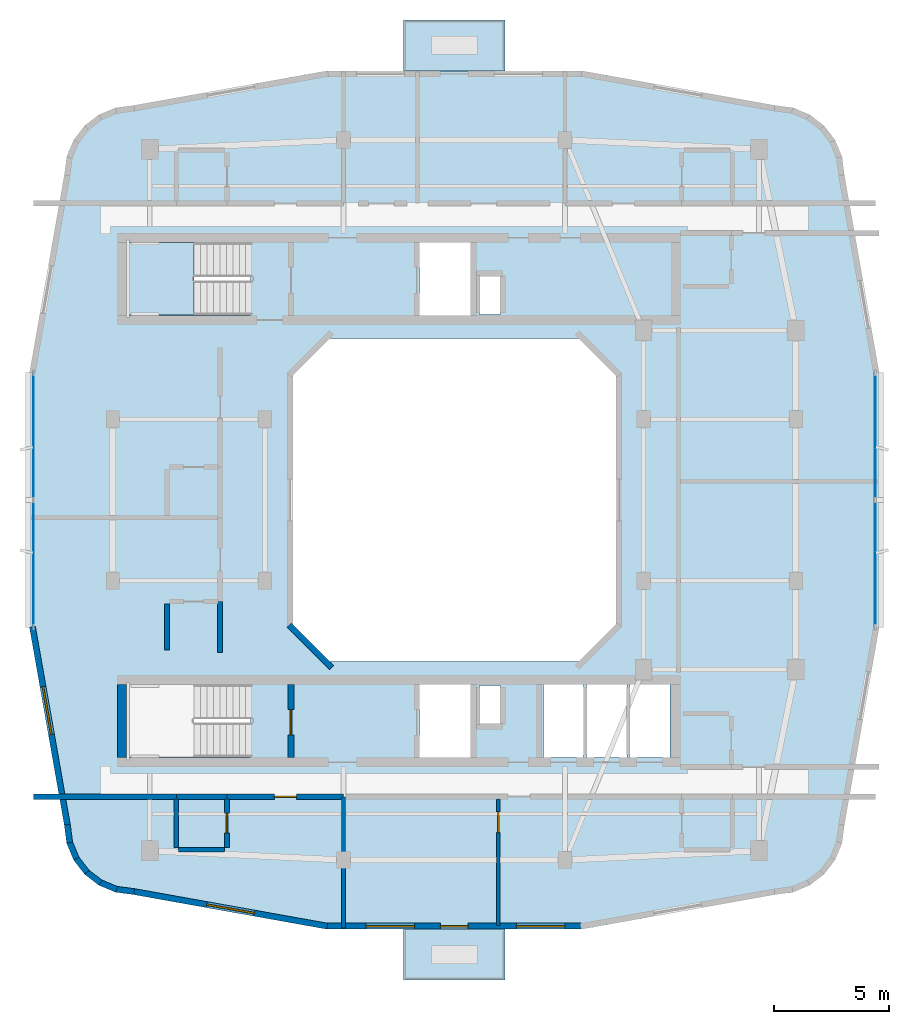
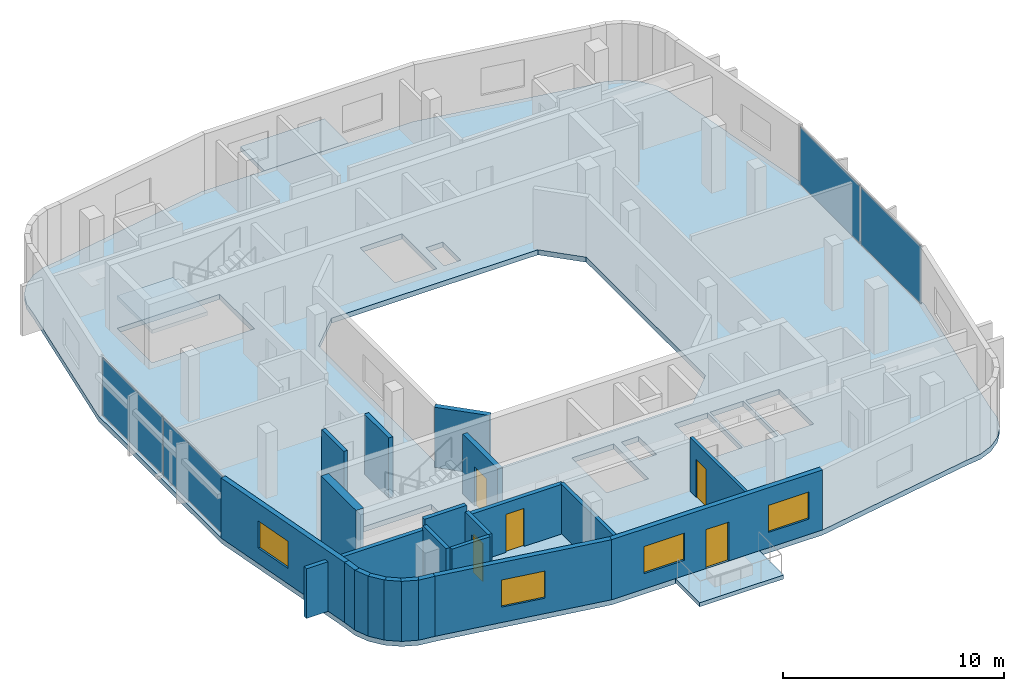
# One storey, part 3 of 10: 22 walls, 5 doors, 4 plates, 4 slabs, 4 windows, 9 openings, 3 elements without a shape of their own.
"""IFC4 building model written with IfcOpenShell, lengths in metres."""

from ifc_helpers import new_model, si_unit, derived_unit, direction, frame, frame_2d, origin, origin_2d, place, context, subcontext, project, spatial, polyline, rectangle, outline, extrude, material, layer, layer_set, type_object, element, fill, aggregate, save


model = new_model("IFC4")

# Units and contexts
model_context = context("Model", 3, precision=1e-05, world=origin(), true_north=direction((0.0, 1.0)))
body_context = subcontext(model_context, "Body", "Model", "MODEL_VIEW")
ifc_project = project(units=[si_unit("LENGTHUNIT", "METRE"), si_unit("AREAUNIT", "SQUARE_METRE"), si_unit("VOLUMEUNIT", "CUBIC_METRE"), si_unit("PLANEANGLEUNIT", "RADIAN"), si_unit("MASSUNIT", "GRAM", prefix="KILO"), derived_unit("THERMALTRANSMITTANCEUNIT", [(si_unit("POWERUNIT", "WATT"), 1), (si_unit("LENGTHUNIT", "METRE"), -2), (si_unit("THERMODYNAMICTEMPERATUREUNIT", "KELVIN"), -1)])], contexts=[model_context])

# Site, building, storey
site_placement = place(None, origin())
site = spatial("IfcSite", under=ifc_project, at=site_placement, CompositionType="ELEMENT")
building_placement = place(site_placement, origin())
building = spatial("IfcBuilding", under=site, at=building_placement, Name="Kivonza Crest Hotel", CompositionType="ELEMENT")
storey_placement = place(building_placement, frame((0.0, 0.0, 243.199951171875)))
storey = spatial("IfcBuildingStorey", under=building, at=storey_placement, Name="L66", CompositionType="ELEMENT", Elevation=243.199951171875)

# Curtain wall, plates
ifc_material_1 = material(Name="Anodised bronze aluminium and low-E double glazing", Category="aluminium")
ifc_layer_1 = layer(ifc_material_1, 0.179931640625)
ifc_layer_set_1 = layer_set([ifc_layer_1], Name="Anodised bronze aluminium and low-E double glazing")
curtain_wall_type = type_object("IfcCurtainWallType", Name="CW-SYS-3", PredefinedType="NOTDEFINED", material=ifc_layer_set_1)
curtain_wall_1_placement = place(storey_placement, origin())
curtain_wall_1 = element("IfcCurtainWall", 1, at=curtain_wall_1_placement, inside=storey, type_object=curtain_wall_type, Name="L66 unitised curtain wall CW-T1-L66-17", PredefinedType="NOTDEFINED")
ifc_material_2 = material(Name="Acoustic triple-laminated low-E glazing", Category="glass")
ifc_layer_2 = layer(ifc_material_2, 0.035888671875)
ifc_layer_set_2 = layer_set([ifc_layer_2], Name="Acoustic triple-laminated low-E glazing")
plate_type = type_object("IfcPlateType", Name="CW-PNL-36", PredefinedType="CURTAIN_PANEL", material=ifc_layer_set_2)
plate_1_placement = place(storey_placement, frame((39.239990234375, 22.248779296875, 0.0751953125), z_axis=(0.0, 0.0, 1.0), x_axis=(0.0, 1.0, 0.0)))
plate_1 = element("IfcPlate", 2, at=plate_1_placement, type_object=plate_type, Name="CW-3 panel 1.1", PredefinedType="CURTAIN_PANEL", context=body_context, shape_type="SweptSolid", body=[
    extrude(rectangle(XDim=5.427490234375, YDim=0.035888671875, at=origin_2d()), origin(), (0.0, 0.0, 1.0), 3.169921875),
])
plate_2_placement = place(storey_placement, frame((39.239990234375, 27.751220703125, 0.0751953125), z_axis=(0.0, 0.0, 1.0), x_axis=(0.0, 1.0, 0.0)))
plate_2 = element("IfcPlate", 3, at=plate_2_placement, type_object=plate_type, Name="CW-3 panel 2.1", PredefinedType="CURTAIN_PANEL", context=body_context, shape_type="SweptSolid", body=[
    extrude(rectangle(XDim=5.427490234375, YDim=0.035888671875, at=origin_2d()), origin(), (0.0, 0.0, 1.0), 3.169921875),
])
aggregate(curtain_wall_1, [plate_1, plate_2])

curtain_wall_2_placement = place(storey_placement, origin())
curtain_wall_2 = element("IfcCurtainWall", 4, at=curtain_wall_2_placement, inside=storey, type_object=curtain_wall_type, Name="L66 unitised curtain wall CW-T1-L66-35", PredefinedType="NOTDEFINED")
plate_3_placement = place(storey_placement, frame((2.760009765625, 27.751220703125, 0.0751953125), z_axis=(0.0, 0.0, 1.0), x_axis=(0.0, -1.0, 0.0)))
plate_3 = element("IfcPlate", 5, at=plate_3_placement, type_object=plate_type, Name="CW-3 panel 1.1", PredefinedType="CURTAIN_PANEL", context=body_context, shape_type="SweptSolid", body=[
    extrude(rectangle(XDim=5.427490234375, YDim=0.035888671875, at=origin_2d()), origin(), (0.0, 0.0, 1.0), 3.169921875),
])
plate_4_placement = place(storey_placement, frame((2.760009765625, 22.248779296875, 0.0751953125), z_axis=(0.0, 0.0, 1.0), x_axis=(0.0, -1.0, 0.0)))
plate_4 = element("IfcPlate", 6, at=plate_4_placement, type_object=plate_type, Name="CW-3 panel 2.1", PredefinedType="CURTAIN_PANEL", context=body_context, shape_type="SweptSolid", body=[
    extrude(rectangle(XDim=5.427490234375, YDim=0.035888671875, at=origin_2d()), origin(), (0.0, 0.0, 1.0), 3.169921875),
])
aggregate(curtain_wall_2, [plate_3, plate_4])

# Slab
ifc_material_3 = material(Name="Concrete C40/50", Category="concrete")
ifc_layer_3 = layer(ifc_material_3, 0.280029296875)
ifc_layer_set_3 = layer_set([ifc_layer_3], Name="Concrete C40/50")
slab_type_1 = type_object("IfcSlabType", Name="SL-HTL-280", PredefinedType="FLOOR", material=ifc_layer_set_3)
slab_1_placement = place(storey_placement, frame((0.0, 0.0, -0.280029296875)))
element("IfcSlab", 7, at=slab_1_placement, inside=storey, type_object=slab_type_1, Name="Tower T1 L66 floor slab", PredefinedType="FLOOR", context=body_context, shape_type="SweptSolid", body=[
    extrude(outline(polyline([(4.10009765625, 10.89990234375), (4.201904296875, 10.1240234375), (4.501953125, 9.39990234375), (4.97900390625, 8.779052734375), (5.60009765625, 8.302001953125), (6.323974609375, 8.001953125), (7.10009765625, 7.89990234375), (15.47998046875, 6.39990234375), (26.52001953125, 6.39990234375), (34.89990234375, 7.89990234375), (35.676025390625, 8.001953125), (36.39990234375, 8.302001953125), (37.02099609375, 8.779052734375), (37.498046875, 9.39990234375), (37.798095703125, 10.1240234375), (37.89990234375, 10.89990234375), (39.39990234375, 19.419921875), (39.39990234375, 30.580078125), (37.89990234375, 39.10009765625), (37.798095703125, 39.8759765625), (37.498046875, 40.60009765625), (37.02099609375, 41.220947265625), (36.39990234375, 41.697998046875), (35.676025390625, 41.998046875), (34.89990234375, 42.10009765625), (26.52001953125, 43.60009765625), (15.47998046875, 43.60009765625), (7.10009765625, 42.10009765625), (6.323974609375, 41.998046875), (5.60009765625, 41.697998046875), (4.97900390625, 41.220947265625), (4.501953125, 40.60009765625), (4.201904296875, 39.8759765625), (4.10009765625, 39.10009765625), (2.60009765625, 30.580078125), (2.60009765625, 19.419921875), (4.10009765625, 10.89990234375)]), holes=[polyline([(15.60009765625, 18.0), (26.39990234375, 18.0), (28.0, 19.60009765625), (28.0, 30.39990234375), (26.39990234375, 32.0), (15.60009765625, 32.0), (14.0, 30.39990234375), (14.0, 19.60009765625), (15.60009765625, 18.0)]), polyline([(6.800048828125, 33.02001953125), (12.159912109375, 33.02001953125), (12.159912109375, 36.159912109375), (6.800048828125, 36.159912109375), (6.800048828125, 33.02001953125)]), polyline([(6.800048828125, 13.860107421875), (12.159912109375, 13.860107421875), (12.159912109375, 17.0), (6.800048828125, 17.0), (6.800048828125, 13.860107421875)]), polyline([(22.080078125, 33.0400390625), (22.969970703125, 33.0400390625), (22.969970703125, 34.679931640625), (22.080078125, 34.679931640625), (22.080078125, 33.0400390625)]), polyline([(22.080078125, 15.320068359375), (22.969970703125, 15.320068359375), (22.969970703125, 16.9599609375), (22.080078125, 16.9599609375), (22.080078125, 15.320068359375)]), polyline([(19.5, 33.0), (21.699951171875, 33.0), (21.699951171875, 36.159912109375), (19.5, 36.159912109375), (19.5, 33.0)]), polyline([(19.5, 13.840087890625), (21.699951171875, 13.840087890625), (21.699951171875, 17.0), (19.5, 17.0), (19.5, 13.840087890625)]), polyline([(24.860107421875, 13.840087890625), (26.60693359375, 13.840087890625), (26.60693359375, 17.0), (24.860107421875, 17.0), (24.860107421875, 13.840087890625)]), polyline([(26.72705078125, 13.840087890625), (28.472900390625, 13.840087890625), (28.472900390625, 17.0), (26.72705078125, 17.0), (26.72705078125, 13.840087890625)]), polyline([(28.593017578125, 13.840087890625), (30.340087890625, 13.840087890625), (30.340087890625, 17.0), (28.593017578125, 17.0), (28.593017578125, 13.840087890625)])]), origin(), (0.0, 0.0, 1.0), 0.280029296875),
])

# Stair, slab
stair_type = type_object("IfcStairType", Name="ST-DL-20R", PredefinedType="HALF_TURN_STAIR", material=ifc_material_3)
stair_placement = place(storey_placement, origin())
stair = element("IfcStair", 8, at=stair_placement, inside=storey, type_object=stair_type, Name="L66 Protected Exit Stair ST-T1-N", PredefinedType="HALF_TURN_STAIR")
ifc_layer_4 = layer(ifc_material_3, 0.199951171875)
ifc_layer_set_4 = layer_set([ifc_layer_4], Name="Concrete C40/50")
slab_type_2 = type_object("IfcSlabType", Name="SL-LAND-200", PredefinedType="LANDING", material=ifc_layer_set_4)
slab_2_placement = place(storey_placement, frame((0.0, 0.0, 1.60009765625)))
slab_2 = element("IfcSlab", 9, at=slab_2_placement, type_object=slab_type_2, Name="ST-T1-N landing 1", PredefinedType="LANDING", context=body_context, shape_type="SweptSolid", body=[
    extrude(outline(polyline([(9.719970703125, 36.159912109375), (6.800048828125, 36.159912109375), (6.800048828125, 33.02001953125), (9.719970703125, 33.02001953125), (9.719970703125, 36.159912109375)])), origin(), (0.0, 0.0, 1.0), 0.199951171875),
])
aggregate(stair, [slab_2])

# Slabs
ifc_layer_5 = layer(ifc_material_3, 0.219970703125)
ifc_layer_set_5 = layer_set([ifc_layer_5], Name="Concrete C40/50")
slab_type_3 = type_object("IfcSlabType", Name="SL-SKYG-220", PredefinedType="FLOOR", material=ifc_layer_set_5)
slab_3_placement = place(storey_placement, frame((0.0, 0.0, -0.219970703125)))
element("IfcSlab", 10, at=slab_3_placement, inside=storey, type_object=slab_type_3, Name="Tower T1 L66 SW planted sky-garden bridge", PredefinedType="FLOOR", context=body_context, shape_type="SweptSolid", body=[
    extrude(outline(polyline([(18.800048828125, 4.199951171875), (23.199951171875, 4.199951171875), (23.199951171875, 6.39990234375), (18.800048828125, 6.39990234375), (18.800048828125, 4.199951171875)])), origin(), (0.0, 0.0, 1.0), 0.219970703125),
])
slab_4_placement = place(storey_placement, frame((0.0, 0.0, -0.219970703125)))
element("IfcSlab", 11, at=slab_4_placement, inside=storey, type_object=slab_type_3, Name="Tower T1 L66 NE planted sky-garden bridge", PredefinedType="FLOOR", context=body_context, shape_type="SweptSolid", body=[
    extrude(outline(polyline([(18.800048828125, 43.60009765625), (23.199951171875, 43.60009765625), (23.199951171875, 45.800048828125), (18.800048828125, 45.800048828125), (18.800048828125, 43.60009765625)])), origin(), (0.0, 0.0, 1.0), 0.219970703125),
])

# Walls
ifc_material_4 = material(Name="High-density acoustic masonry inter-tenancy wall", Category="masonry")
ifc_layer_6 = layer(ifc_material_4, 0.179931640625)
ifc_layer_set_6 = layer_set([ifc_layer_6], Name="High-density acoustic masonry inter-tenancy wall")
wall_type_1 = type_object("IfcWallType", Name="WL-ACOU-180", PredefinedType="SOLIDWALL", material=ifc_layer_set_6)
wall_1_placement = place(storey_placement, frame((16.199951171875, 6.4599609375, 0.0), z_axis=(0.0, 0.0, 1.0), x_axis=(0.0, 1.0, 0.0)))
element("IfcWall", 12, at=wall_1_placement, inside=storey, type_object=wall_type_1, Name="L66 interior partition WA-L66-T1S-DIV1", PredefinedType="SOLIDWALL", context=body_context, shape_type="SweptSolid", body=[
    extrude(rectangle(XDim=5.679931640625, YDim=0.179931640625, at=frame_2d((2.83984375, 0.0))), origin(), (0.0, 0.0, 1.0), 2.7451171875),
])
ifc_material_5 = material(Name="Autoclaved aerated concrete blockwork", Category="masonry")
ifc_layer_7 = layer(ifc_material_5, 0.219970703125)
ifc_layer_set_7 = layer_set([ifc_layer_7], Name="Autoclaved aerated concrete blockwork")
wall_type_2 = type_object("IfcWallType", Name="WL-ACOU-220", PredefinedType="SOLIDWALL", material=ifc_layer_set_7)
wall_2_placement = place(storey_placement, frame((2.760009765625, 12.139892578125, 0.0), z_axis=(0.0, 0.0, 1.0), x_axis=(1.0, 0.0, 0.0)))
element("IfcWall", 13, at=wall_2_placement, inside=storey, type_object=wall_type_2, Name="L66 interior partition WA-L66-S03-XCORR", PredefinedType="SOLIDWALL", context=body_context, shape_type="SweptSolid", body=[
    extrude(rectangle(XDim=6.18994140625, YDim=0.219970703125, at=frame_2d((3.094970703125, 0.0))), origin(), (0.0, 0.0, 1.0), 2.7451171875),
])
wall_3_placement = place(storey_placement, frame((8.949951171875, 12.139892578125, 0.0), z_axis=(0.0, 0.0, 1.0), x_axis=(1.0, 0.0, 0.0)))
element("IfcWall", 14, at=wall_3_placement, inside=storey, type_object=wall_type_2, Name="L66 interior partition WA-L66-S03-BCORR", PredefinedType="SOLIDWALL", context=body_context, shape_type="SweptSolid", body=[
    extrude(rectangle(XDim=2.199951171875, YDim=0.219970703125, at=frame_2d((1.10009765625, 0.0))), origin(), (0.0, 0.0, 1.0), 3.320068359375),
])

# Wall, opening, door
wall_4_placement = place(storey_placement, frame((11.14990234375, 12.139892578125, 0.0), z_axis=(0.0, 0.0, 1.0), x_axis=(1.0, 0.0, 0.0)))
wall_4 = element("IfcWall", 15, at=wall_4_placement, inside=storey, type_object=wall_type_2, Name="L66 interior partition WA-L66-S03-MCORR", PredefinedType="SOLIDWALL", context=body_context, shape_type="SweptSolid", body=[
    extrude(rectangle(XDim=5.050048828125, YDim=0.219970703125, at=frame_2d((2.52490234375, 0.0))), origin(), (0.0, 0.0, 1.0), 2.7451171875),
])
opening_1_placement = place(wall_4_placement, frame((2.050048828125, 0.0, 0.0)))
opening_1 = element("IfcOpeningElement", 16, at=opening_1_placement, cuts=wall_4, Name="Opening DU-60", PredefinedType="OPENING", context=body_context, shape_type="SweptSolid", body=[
    extrude(rectangle(XDim=0.949951171875, YDim=2.10009765625, at=frame_2d((0.47509765625, 1.050048828125))), frame((0.0, 0.1201171875, 0.0), z_axis=(0.0, -1.0, 0.0), x_axis=(1.0, 0.0, 0.0)), (0.0, 0.0, 1.0), 0.239990234375),
])
ifc_material_6 = material(Name="Hardwood timber oak", Category="wood")
door_type_1 = type_object("IfcDoorType", Name="DR-UNIT-950", OperationType="NOTDEFINED", PredefinedType="DOOR", material=ifc_material_6)
door_1_placement = place(opening_1_placement, frame((0.949951171875, 0.0, 0.0), z_axis=(0.0, 0.0, 1.0), x_axis=(-1.0, 0.0, 0.0)))
door_1 = element("IfcDoor", 17, at=door_1_placement, inside=storey, type_object=door_type_1, Name="L66 S03 guest unit entrance fire door", OperationType="SINGLE_SWING_LEFT", OverallHeight=2.10009765625, OverallWidth=0.949951171875, PredefinedType="DOOR", context=body_context, shape_type="SweptSolid", body=[
    extrude(rectangle(XDim=0.949951171875, YDim=2.10009765625, at=frame_2d((0.47509765625, 1.050048828125))), frame((0.0, 0.02490234375, 0.0), z_axis=(0.0, -1.0, 0.0), x_axis=(1.0, 0.0, 0.0)), (0.0, 0.0, 1.0), 0.050048828125),
])
fill(opening_1, door_1)

# Walls
wall_5_placement = place(storey_placement, frame((10.85009765625, 18.39990234375, 0.0), z_axis=(0.0, 0.0, 1.0), x_axis=(0.0, 1.0, 0.0)))
element("IfcWall", 18, at=wall_5_placement, inside=storey, type_object=wall_type_2, Name="L66 interior partition WA-L66-W05-BCORR", PredefinedType="SOLIDWALL", context=body_context, shape_type="SweptSolid", body=[
    extrude(rectangle(XDim=2.2001953125, YDim=0.219970703125, at=frame_2d((1.10009765625, 0.0))), origin(), (0.0, 0.0, 1.0), 3.320068359375),
])
ifc_material_7 = material(Name="Concrete C50/60", Category="concrete")
ifc_layer_8 = layer(ifc_material_7, 0.39990234375)
ifc_layer_set_8 = layer_set([ifc_layer_8], Name="Concrete C50/60")
wall_type_3 = type_object("IfcWallType", Name="WL-CORE-400", PredefinedType="SHEAR", material=ifc_layer_set_8)
wall_6_placement = place(storey_placement, frame((6.60009765625, 13.840087890625, 0.0), z_axis=(0.0, 0.0, 1.0), x_axis=(0.0, 1.0, 0.0)))
element("IfcWall", 19, at=wall_6_placement, inside=storey, type_object=wall_type_3, Name="Core wall T1-S West L66", PredefinedType="SHEAR", context=body_context, shape_type="SweptSolid", body=[
    extrude(rectangle(XDim=3.159912109375, YDim=0.39990234375, at=frame_2d((1.580078125, 0.0))), origin(), (0.0, 0.0, 1.0), 3.60009765625),
])
ifc_material_8 = material(Name="Precast concrete C40/50", Category="concrete")
ifc_layer_9 = layer(ifc_material_8, 0.260009765625)
ifc_layer_set_9 = layer_set([ifc_layer_9], Name="Precast concrete C40/50")
wall_type_4 = type_object("IfcWallType", Name="WL-EXT-260", PredefinedType="STANDARD", material=ifc_layer_set_9)
wall_7_placement = place(storey_placement, frame((4.22802734375, 10.925048828125, 0.0), z_axis=(0.0, 0.0, 1.0), x_axis=(0.130689052056, -0.991423406861, 0.0)))
element("IfcWall", 20, at=wall_7_placement, inside=storey, type_object=wall_type_4, Name="L66 T1 exterior insulated wall 1", PredefinedType="STANDARD", context=body_context, shape_type="SweptSolid", body=[
    extrude(rectangle(XDim=0.78076171875, YDim=0.260009765625, at=frame_2d((0.390380859375, 0.0))), origin(), (0.0, 0.0, 1.0), 3.320068359375),
])
wall_8_placement = place(storey_placement, frame((4.31201171875, 10.197021484375, 0.0), z_axis=(0.0, 0.0, 1.0), x_axis=(0.382900540965, -0.923789573295, 0.0)))
element("IfcWall", 21, at=wall_8_placement, inside=storey, type_object=wall_type_4, Name="L66 T1 exterior insulated wall 2", PredefinedType="STANDARD", context=body_context, shape_type="SweptSolid", body=[
    extrude(rectangle(XDim=0.798828125, YDim=0.260009765625, at=frame_2d((0.3994140625, 0.0))), origin(), (0.0, 0.0, 1.0), 3.320068359375),
])
wall_9_placement = place(storey_placement, frame((4.590087890625, 9.4990234375, 0.0), z_axis=(0.0, 0.0, 1.0), x_axis=(0.608823262828, -0.793305889705, 0.0)))
element("IfcWall", 22, at=wall_9_placement, inside=storey, type_object=wall_type_4, Name="L66 T1 exterior insulated wall 3", PredefinedType="STANDARD", context=body_context, shape_type="SweptSolid", body=[
    extrude(rectangle(XDim=0.798095703125, YDim=0.260009765625, at=frame_2d((0.39892578125, 0.0))), origin(), (0.0, 0.0, 1.0), 3.320068359375),
])
wall_10_placement = place(storey_placement, frame((5.0380859375, 8.89697265625, 0.0), z_axis=(0.0, 0.0, 1.0), x_axis=(0.793044635519, -0.60916352983, 0.0)))
element("IfcWall", 23, at=wall_10_placement, inside=storey, type_object=wall_type_4, Name="L66 T1 exterior insulated wall 4", PredefinedType="STANDARD", context=body_context, shape_type="SweptSolid", body=[
    extrude(rectangle(XDim=0.7978515625, YDim=0.260009765625, at=frame_2d((0.39892578125, 0.0))), origin(), (0.0, 0.0, 1.0), 3.320068359375),
])
wall_11_placement = place(storey_placement, frame((5.626953125, 8.431884765625, 0.0), z_axis=(0.0, 0.0, 1.0), x_axis=(0.923789573295, -0.382900540965, 0.0)))
element("IfcWall", 24, at=wall_11_placement, inside=storey, type_object=wall_type_4, Name="L66 T1 exterior insulated wall 5", PredefinedType="STANDARD", context=body_context, shape_type="SweptSolid", body=[
    extrude(rectangle(XDim=0.798828125, YDim=0.260009765625, at=frame_2d((0.3994140625, 0.0))), origin(), (0.0, 0.0, 1.0), 3.320068359375),
])
wall_12_placement = place(storey_placement, frame((6.31591796875, 8.134033203125, 0.0), z_axis=(0.0, 0.0, 1.0), x_axis=(0.99153354416, -0.129850802102, 0.0)))
element("IfcWall", 25, at=wall_12_placement, inside=storey, type_object=wall_type_4, Name="L66 T1 exterior insulated wall 6", PredefinedType="STANDARD", context=body_context, shape_type="SweptSolid", body=[
    extrude(rectangle(XDim=0.81591796875, YDim=0.260009765625, at=frame_2d((0.407958984375, 0.0))), origin(), (0.0, 0.0, 1.0), 3.320068359375),
])

# Wall, opening, window
wall_13_placement = place(storey_placement, frame((7.114990234375, 8.029052734375, 0.0), z_axis=(0.0, 0.0, 1.0), x_axis=(0.984367239349, -0.176128186549, 0.0)))
wall_13 = element("IfcWall", 26, at=wall_13_placement, inside=storey, type_object=wall_type_4, Name="L66 T1 exterior insulated wall 7", PredefinedType="STANDARD", context=body_context, shape_type="SweptSolid", body=[
    extrude(rectangle(XDim=8.510986328125, YDim=0.260009765625, at=frame_2d((4.25537109375, 0.0))), origin(), (0.0, 0.0, 1.0), 3.320068359375),
])
opening_2_placement = place(wall_13_placement, frame((3.2060546875, 0.0, 0.85009765625)))
opening_2 = element("IfcOpeningElement", 27, at=opening_2_placement, cuts=wall_13, Name="Opening WN-04", PredefinedType="OPENING", context=body_context, shape_type="SweptSolid", body=[
    extrude(rectangle(XDim=2.10009765625, YDim=1.5, at=frame_2d((1.050048828125, 0.75))), frame((0.0, 0.14013671875, 0.0), z_axis=(0.0, -1.0, 0.0), x_axis=(1.0, 0.0, 0.0)), (0.0, 0.0, 1.0), 0.280029296875),
])
ifc_material_9 = material(Name="Thermally broken bronze aluminium and low-E double glazing", Category="aluminium")
window_type = type_object("IfcWindowType", Name="WN-210x150", PartitioningType="DOUBLE_PANEL_VERTICAL", PredefinedType="WINDOW", material=ifc_material_9)
window_1_placement = place(opening_2_placement, origin())
window_1 = element("IfcWindow", 28, at=window_1_placement, inside=storey, type_object=window_type, Name="L66 T1 facade window 7", OverallHeight=1.5, OverallWidth=2.10009765625, PartitioningType="SINGLE_PANEL", PredefinedType="WINDOW", context=body_context, shape_type="SweptSolid", body=[
    extrude(rectangle(XDim=2.10009765625, YDim=1.5, at=frame_2d((1.050048828125, 0.75))), frame((0.0, 0.030029296875, 0.0), z_axis=(0.0, -1.0, 0.0), x_axis=(1.0, 0.0, 0.0)), (0.0, 0.0, 1.0), 0.06005859375),
])
fill(opening_2, window_1)

# Wall, openings, door, windows
wall_14_placement = place(storey_placement, frame((15.455078125, 6.530029296875, 0.0), z_axis=(0.0, 0.0, 1.0), x_axis=(1.0, 0.0, 0.0)))
wall_14 = element("IfcWall", 29, at=wall_14_placement, inside=storey, type_object=wall_type_4, Name="L66 T1 exterior insulated wall 8", PredefinedType="STANDARD", context=body_context, shape_type="SweptSolid", body=[
    extrude(rectangle(XDim=11.054931640625, YDim=0.260009765625, at=frame_2d((5.52734375, 0.0))), origin(), (0.0, 0.0, 1.0), 3.320068359375),
])
opening_3_placement = place(wall_14_placement, frame((4.945068359375, 0.0, 0.0)))
opening_3 = element("IfcOpeningElement", 30, at=opening_3_placement, cuts=wall_14, Name="Opening DT-120", PredefinedType="OPENING", context=body_context, shape_type="SweptSolid", body=[
    extrude(rectangle(XDim=1.199951171875, YDim=2.14990234375, at=frame_2d((0.60009765625, 1.074951171875))), frame((0.0, 0.14013671875, 0.0), z_axis=(0.0, -1.0, 0.0), x_axis=(1.0, 0.0, 0.0)), (0.0, 0.0, 1.0), 0.280029296875),
])
opening_4_placement = place(wall_14_placement, frame((1.719970703125, 0.0, 0.85009765625)))
opening_4 = element("IfcOpeningElement", 31, at=opening_4_placement, cuts=wall_14, Name="Opening WN-04", PredefinedType="OPENING", context=body_context, shape_type="SweptSolid", body=[
    extrude(rectangle(XDim=2.10009765625, YDim=1.5, at=frame_2d((1.050048828125, 0.75))), frame((0.0, 0.14013671875, 0.0), z_axis=(0.0, -1.0, 0.0), x_axis=(1.0, 0.0, 0.0)), (0.0, 0.0, 1.0), 0.280029296875),
])
opening_5_placement = place(wall_14_placement, frame((8.22998046875, 0.0, 0.85009765625)))
opening_5 = element("IfcOpeningElement", 32, at=opening_5_placement, cuts=wall_14, Name="Opening WN-04", PredefinedType="OPENING", context=body_context, shape_type="SweptSolid", body=[
    extrude(rectangle(XDim=2.10009765625, YDim=1.5, at=frame_2d((1.050048828125, 0.75))), frame((0.0, 0.14013671875, 0.0), z_axis=(0.0, -1.0, 0.0), x_axis=(1.0, 0.0, 0.0)), (0.0, 0.0, 1.0), 0.280029296875),
])
ifc_material_10 = material(Name="Anodised bronze aluminium and laminated safety glass", Category="aluminium")
door_type_2 = type_object("IfcDoorType", Name="DR-TERR-1200", OperationType="NOTDEFINED", PredefinedType="DOOR", material=ifc_material_10)
door_2_placement = place(opening_3_placement, frame((1.199951171875, 0.0, 0.0), z_axis=(0.0, 0.0, 1.0), x_axis=(-1.0, 0.0, 0.0)))
door_2 = element("IfcDoor", 33, at=door_2_placement, inside=storey, type_object=door_type_2, Name="T1 L66 SW sky-garden bridge access door", OperationType="SINGLE_SWING_LEFT", OverallHeight=2.14990234375, OverallWidth=1.199951171875, PredefinedType="DOOR", context=body_context, shape_type="SweptSolid", body=[
    extrude(rectangle(XDim=1.199951171875, YDim=2.14990234375, at=frame_2d((0.60009765625, 1.074951171875))), frame((0.0, 0.02490234375, 0.0), z_axis=(0.0, -1.0, 0.0), x_axis=(1.0, 0.0, 0.0)), (0.0, 0.0, 1.0), 0.050048828125),
])
fill(opening_3, door_2)
window_2_placement = place(opening_4_placement, origin())
window_2 = element("IfcWindow", 34, at=window_2_placement, inside=storey, type_object=window_type, Name="L66 T1 facade window 8 bay 1", OverallHeight=1.5, OverallWidth=2.10009765625, PartitioningType="SINGLE_PANEL", PredefinedType="WINDOW", context=body_context, shape_type="SweptSolid", body=[
    extrude(rectangle(XDim=2.10009765625, YDim=1.5, at=frame_2d((1.050048828125, 0.75))), frame((0.0, 0.030029296875, 0.0), z_axis=(0.0, -1.0, 0.0), x_axis=(1.0, 0.0, 0.0)), (0.0, 0.0, 1.0), 0.06005859375),
])
fill(opening_4, window_2)
window_3_placement = place(opening_5_placement, origin())
window_3 = element("IfcWindow", 35, at=window_3_placement, inside=storey, type_object=window_type, Name="L66 T1 facade window 8 bay 2", OverallHeight=1.5, OverallWidth=2.10009765625, PartitioningType="SINGLE_PANEL", PredefinedType="WINDOW", context=body_context, shape_type="SweptSolid", body=[
    extrude(rectangle(XDim=2.10009765625, YDim=1.5, at=frame_2d((1.050048828125, 0.75))), frame((0.0, 0.030029296875, 0.0), z_axis=(0.0, -1.0, 0.0), x_axis=(1.0, 0.0, 0.0)), (0.0, 0.0, 1.0), 0.06005859375),
])
fill(opening_5, window_3)

# Wall, opening, window
wall_15_placement = place(storey_placement, frame((2.718017578125, 19.4970703125, 0.0), z_axis=(0.0, 0.0, 1.0), x_axis=(0.173396937698, -0.984852020355, 0.0)))
wall_15 = element("IfcWall", 36, at=wall_15_placement, inside=storey, type_object=wall_type_4, Name="L66 T1 exterior insulated wall 36", PredefinedType="STANDARD", context=body_context, shape_type="SweptSolid", body=[
    extrude(rectangle(XDim=8.714111328125, YDim=0.260009765625, at=frame_2d((4.35693359375, 0.0))), origin(), (0.0, 0.0, 1.0), 3.320068359375),
])
opening_6_placement = place(wall_15_placement, frame((2.626953125, 0.0, 0.85009765625)))
opening_6 = element("IfcOpeningElement", 37, at=opening_6_placement, cuts=wall_15, Name="Opening WN-04", PredefinedType="OPENING", context=body_context, shape_type="SweptSolid", body=[
    extrude(rectangle(XDim=2.10009765625, YDim=1.5, at=frame_2d((1.050048828125, 0.75))), frame((0.0, 0.14013671875, 0.0), z_axis=(0.0, -1.0, 0.0), x_axis=(1.0, 0.0, 0.0)), (0.0, 0.0, 1.0), 0.280029296875),
])
window_4_placement = place(opening_6_placement, origin())
window_4 = element("IfcWindow", 38, at=window_4_placement, inside=storey, type_object=window_type, Name="L66 T1 facade window 36", OverallHeight=1.5, OverallWidth=2.10009765625, PartitioningType="SINGLE_PANEL", PredefinedType="WINDOW", context=body_context, shape_type="SweptSolid", body=[
    extrude(rectangle(XDim=2.10009765625, YDim=1.5, at=frame_2d((1.050048828125, 0.75))), frame((0.0, 0.030029296875, 0.0), z_axis=(0.0, -1.0, 0.0), x_axis=(1.0, 0.0, 0.0)), (0.0, 0.0, 1.0), 0.06005859375),
])
fill(opening_6, window_4)

# Wall
wall_16_placement = place(storey_placement, frame((13.843994140625, 19.572021484375, 0.0), z_axis=(0.0, 0.0, 1.0), x_axis=(0.707106781187, -0.707106781187, 0.0)))
element("IfcWall", 39, at=wall_16_placement, inside=storey, type_object=wall_type_4, Name="L66 T1 light-well exterior wall 8", PredefinedType="STANDARD", context=body_context, shape_type="SweptSolid", body=[
    extrude(rectangle(XDim=2.59375, YDim=0.260009765625, at=frame_2d((1.296875, 0.0))), origin(), (0.0, 0.0, 1.0), 3.320068359375),
])

# Wall, opening, door
ifc_material_11 = material(Name="Twin-stud acoustic gypsum board partition", Category="gypsum")
ifc_layer_10 = layer(ifc_material_11, 0.14990234375)
ifc_layer_set_10 = layer_set([ifc_layer_10], Name="Twin-stud acoustic gypsum board partition")
wall_type_5 = type_object("IfcWallType", Name="WL-PART-150", PredefinedType="PARTITIONING", material=ifc_layer_set_10)
wall_17_placement = place(storey_placement, frame((22.89990234375, 6.56005859375, 0.0), z_axis=(0.0, 0.0, 1.0), x_axis=(0.0, 1.0, 0.0)))
wall_17 = element("IfcWall", 40, at=wall_17_placement, inside=storey, type_object=wall_type_5, Name="L66 interior partition WP-L66-S04-SPSP", PredefinedType="PARTITIONING", context=body_context, shape_type="SweptSolid", body=[
    extrude(rectangle(XDim=5.47998046875, YDim=0.14990234375, at=frame_2d((2.739990234375, 0.0))), origin(), (0.0, 0.0, 1.0), 2.9951171875),
])
opening_7_placement = place(wall_17_placement, frame((4.030029296875, 0.0, 0.0)))
opening_7 = element("IfcOpeningElement", 41, at=opening_7_placement, cuts=wall_17, Name="Opening DI-90", PredefinedType="OPENING", context=body_context, shape_type="SweptSolid", body=[
    extrude(rectangle(XDim=0.89990234375, YDim=2.10009765625, at=frame_2d((0.449951171875, 1.050048828125))), frame((0.0, 0.0849609375, 0.0), z_axis=(0.0, -1.0, 0.0), x_axis=(1.0, 0.0, 0.0)), (0.0, 0.0, 1.0), 0.169921875),
])
door_type_3 = type_object("IfcDoorType", Name="DR-INT-900", OperationType="NOTDEFINED", PredefinedType="DOOR", material=ifc_material_6)
door_3_placement = place(opening_7_placement, origin())
door_3 = element("IfcDoor", 42, at=door_3_placement, inside=storey, type_object=door_type_3, Name="L66 S04 suite bedroom door", OperationType="SINGLE_SWING_LEFT", OverallHeight=2.10009765625, OverallWidth=0.89990234375, PredefinedType="DOOR", context=body_context, shape_type="SweptSolid", body=[
    extrude(rectangle(XDim=0.89990234375, YDim=2.10009765625, at=frame_2d((0.449951171875, 1.050048828125))), frame((0.0, 0.02490234375, 0.0), z_axis=(0.0, -1.0, 0.0), x_axis=(1.0, 0.0, 0.0)), (0.0, 0.0, 1.0), 0.050048828125),
])
fill(opening_7, door_3)

ifc_material_12 = material(Name="Moisture-resistant plumbing chase partition wall", Category="gypsum")
ifc_layer_11 = layer(ifc_material_12, 0.199951171875)
ifc_layer_set_11 = layer_set([ifc_layer_11], Name="Moisture-resistant plumbing chase partition wall")
wall_type_6 = type_object("IfcWallType", Name="WL-PLUMB-200", PredefinedType="PLUMBINGWALL", material=ifc_layer_set_11)
wall_18_placement = place(storey_placement, frame((11.14990234375, 9.93994140625, 0.0), z_axis=(0.0, 0.0, 1.0), x_axis=(0.0, 1.0, 0.0)))
wall_18 = element("IfcWall", 43, at=wall_18_placement, inside=storey, type_object=wall_type_6, Name="L66 interior partition WW-L66-S03-BV", PredefinedType="PLUMBINGWALL", context=body_context, shape_type="SweptSolid", body=[
    extrude(rectangle(XDim=2.10009765625, YDim=0.199951171875, at=frame_2d((1.050048828125, 0.0))), origin(), (0.0, 0.0, 1.0), 2.9951171875),
])
opening_8_placement = place(wall_18_placement, frame((0.625, 0.0, 0.0)))
opening_8 = element("IfcOpeningElement", 44, at=opening_8_placement, cuts=wall_18, Name="Opening DI-85", PredefinedType="OPENING", context=body_context, shape_type="SweptSolid", body=[
    extrude(rectangle(XDim=0.85009765625, YDim=2.10009765625, at=frame_2d((0.425048828125, 1.050048828125))), frame((0.0, 0.10986328125, 0.0), z_axis=(0.0, -1.0, 0.0), x_axis=(1.0, 0.0, 0.0)), (0.0, 0.0, 1.0), 0.219970703125),
])
door_type_4 = type_object("IfcDoorType", Name="DR-INT-850", OperationType="NOTDEFINED", PredefinedType="DOOR", material=ifc_material_6)
door_4_placement = place(opening_8_placement, frame((0.85009765625, 0.0, 0.0), z_axis=(0.0, 0.0, 1.0), x_axis=(-1.0, 0.0, 0.0)))
door_4 = element("IfcDoor", 45, at=door_4_placement, inside=storey, type_object=door_type_4, Name="L66 S03 en-suite bathroom door", OperationType="SINGLE_SWING_RIGHT", OverallHeight=2.10009765625, OverallWidth=0.85009765625, PredefinedType="DOOR", context=body_context, shape_type="SweptSolid", body=[
    extrude(rectangle(XDim=0.85009765625, YDim=2.10009765625, at=frame_2d((0.425048828125, 1.050048828125))), frame((0.0, 0.02490234375, 0.0), z_axis=(0.0, -1.0, 0.0), x_axis=(1.0, 0.0, 0.0)), (0.0, 0.0, 1.0), 0.050048828125),
])
fill(opening_8, door_4)

# Walls
wall_19_placement = place(storey_placement, frame((9.050048828125, 9.840087890625, 0.0), z_axis=(0.0, 0.0, 1.0), x_axis=(1.0, 0.0, 0.0)))
element("IfcWall", 46, at=wall_19_placement, inside=storey, type_object=wall_type_6, Name="L66 interior partition WW-L66-S03-BH", PredefinedType="PLUMBINGWALL", context=body_context, shape_type="SweptSolid", body=[
    extrude(rectangle(XDim=2.0, YDim=0.199951171875, at=frame_2d((1.0, 0.0))), origin(), (0.0, 0.0, 1.0), 3.01513671875),
])
wall_20_placement = place(storey_placement, frame((8.949951171875, 9.93994140625, 0.0), z_axis=(0.0, 0.0, 1.0), x_axis=(0.0, 1.0, 0.0)))
element("IfcWall", 47, at=wall_20_placement, inside=storey, type_object=wall_type_6, Name="L66 interior partition WW-L66-S03-BVW", PredefinedType="PLUMBINGWALL", context=body_context, shape_type="SweptSolid", body=[
    extrude(rectangle(XDim=2.10009765625, YDim=0.199951171875, at=frame_2d((1.050048828125, 0.0))), origin(), (0.0, 0.0, 1.0), 2.9951171875),
])
wall_21_placement = place(storey_placement, frame((8.550048828125, 18.5, 0.0), z_axis=(0.0, 0.0, 1.0), x_axis=(0.0, 1.0, 0.0)))
element("IfcWall", 48, at=wall_21_placement, inside=storey, type_object=wall_type_6, Name="L66 interior partition WW-L66-W05-BV", PredefinedType="PLUMBINGWALL", context=body_context, shape_type="SweptSolid", body=[
    extrude(rectangle(XDim=2.0, YDim=0.199951171875, at=frame_2d((1.0, 0.0))), origin(), (0.0, 0.0, 1.0), 3.320068359375),
])

# Wall, opening, door
ifc_layer_12 = layer(ifc_material_7, 0.25)
ifc_layer_set_12 = layer_set([ifc_layer_12], Name="Concrete C50/60")
wall_type_7 = type_object("IfcWallType", Name="WL-SHAFT-250", PredefinedType="STANDARD", material=ifc_layer_set_12)
wall_22_placement = place(storey_placement, frame((13.925048828125, 13.840087890625, 0.0), z_axis=(0.0, 0.0, 1.0), x_axis=(0.0, 1.0, 0.0)))
wall_22 = element("IfcWall", 49, at=wall_22_placement, inside=storey, type_object=wall_type_7, Name="Core shaft wall T1-S STAIR L66", PredefinedType="STANDARD", context=body_context, shape_type="SweptSolid", body=[
    extrude(rectangle(XDim=3.159912109375, YDim=0.25, at=frame_2d((1.580078125, 0.0))), origin(), (0.0, 0.0, 1.0), 3.320068359375),
])
opening_9_placement = place(wall_22_placement, frame((0.97998046875, 0.0, 0.0)))
opening_9 = element("IfcOpeningElement", 50, at=opening_9_placement, cuts=wall_22, Name="Opening DF-120", PredefinedType="OPENING", context=body_context, shape_type="SweptSolid", body=[
    extrude(rectangle(XDim=1.10009765625, YDim=2.14990234375, at=frame_2d((0.550048828125, 1.074951171875))), frame((0.0, 0.135009765625, 0.0), z_axis=(0.0, -1.0, 0.0), x_axis=(1.0, 0.0, 0.0)), (0.0, 0.0, 1.0), 0.27001953125),
])
ifc_material_13 = material(Name="Galvanised steel", Category="steel")
door_type_5 = type_object("IfcDoorType", Name="DR-FD120-1100", OperationType="NOTDEFINED", PredefinedType="DOOR", material=ifc_material_13)
door_5_placement = place(opening_9_placement, frame((1.10009765625, 0.0, 0.0), z_axis=(0.0, 0.0, 1.0), x_axis=(-1.0, 0.0, 0.0)))
door_5 = element("IfcDoor", 51, at=door_5_placement, inside=storey, type_object=door_type_5, Name="L66 T1-S stair fire door", OperationType="SINGLE_SWING_RIGHT", OverallHeight=2.14990234375, OverallWidth=1.10009765625, PredefinedType="DOOR", context=body_context, shape_type="SweptSolid", body=[
    extrude(rectangle(XDim=1.10009765625, YDim=2.14990234375, at=frame_2d((0.550048828125, 1.074951171875))), frame((0.0, 0.02490234375, 0.0), z_axis=(0.0, -1.0, 0.0), x_axis=(1.0, 0.0, 0.0)), (0.0, 0.0, 1.0), 0.050048828125),
])
fill(opening_9, door_5)

save(model, "model.ifc")
